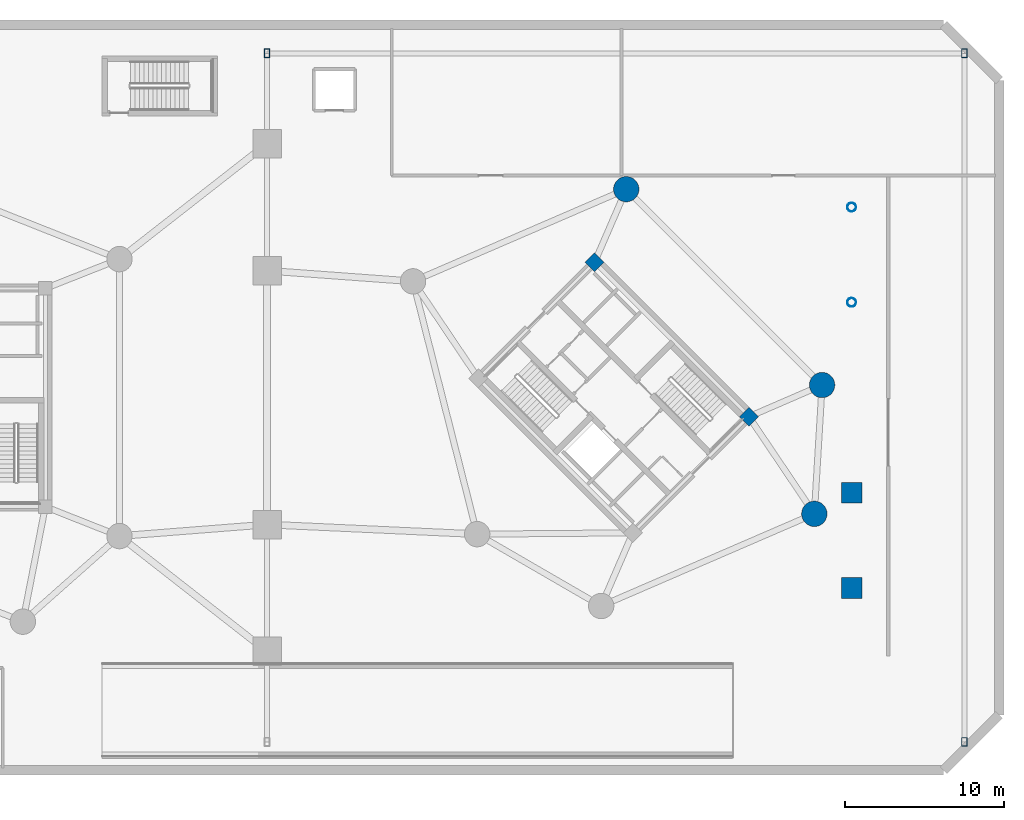
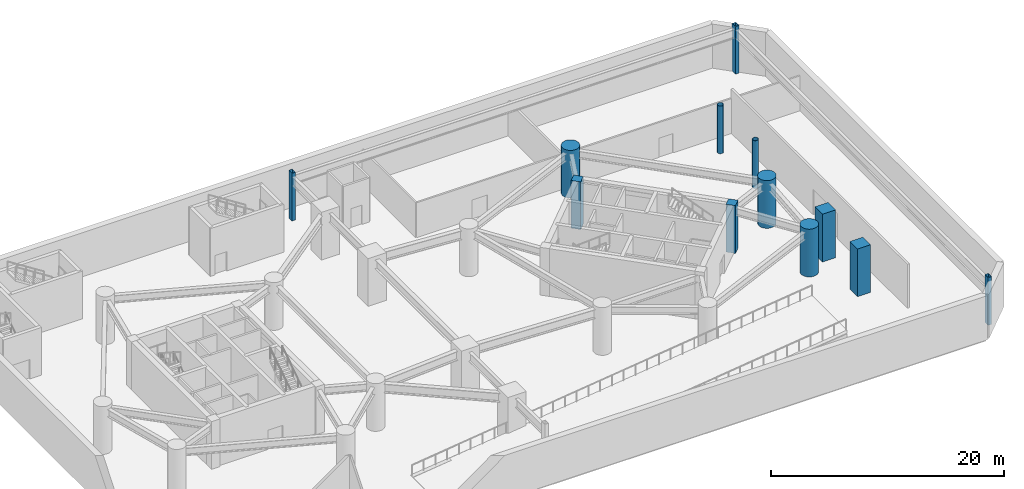
# One storey, part 2 of 14: 12 columns.
"""IFC4 building model written with IfcOpenShell, lengths in metres."""

from ifc_helpers import new_model, si_unit, direction, frame, origin, origin_2d, place, context, subcontext, project, spatial, rectangle, hollow_rectangle, circle, hollow_circle, extrude, material, material_profile, profile_set, type_object, element, save


model = new_model("IFC4")

# Units and contexts
model_context = context("Model", 3, precision=1e-05, world=origin(), true_north=direction((0.0, 1.0)))
body_context = subcontext(model_context, "Body", "Model", "MODEL_VIEW")
ifc_project = project(units=[si_unit("LENGTHUNIT", "METRE"), si_unit("AREAUNIT", "SQUARE_METRE"), si_unit("VOLUMEUNIT", "CUBIC_METRE"), si_unit("PLANEANGLEUNIT", "RADIAN"), si_unit("MASSUNIT", "GRAM", prefix="KILO")], contexts=[model_context])

# Site, building, storey
site_placement = place(None, origin())
site = spatial("IfcSite", under=ifc_project, at=site_placement, CompositionType="ELEMENT")
building_placement = place(site_placement, origin())
building = spatial("IfcBuilding", under=site, at=building_placement, Name="Cununo Teusaquillo Station Towers", CompositionType="ELEMENT")
storey_placement = place(building_placement, frame((0.0, 0.0, -5.0)))
storey = spatial("IfcBuildingStorey", under=building, at=storey_placement, Name="B01", CompositionType="ELEMENT", Elevation=-5.0)

# Columns
ifc_material_1 = material(Name="Concrete C50/60", Category="concrete")
ifc_material_profile_1 = material_profile(ifc_material_1, rectangle(XDim=0.85009765625, YDim=0.85009765625, at=origin_2d()), Name="RC-RECT-850x850")
ifc_profile_set_1 = profile_set([ifc_material_profile_1], Name="Concrete C50/60")
column_type_1 = type_object("IfcColumnType", Name="COL-CORE-Z1", PredefinedType="COLUMN", material=ifc_profile_set_1)
for number, where, z_axis, x_axis, name in (
    (1, (66.024169921875, 23.29443359375, 0.0), (0.0, 0.0, 1.0), (0.707106781187, 0.707106781187, 0.0), "B01 Tower B Core Column 3"),
    (2, (56.29443359375, 33.024169921875, 0.0), (0.0, 0.0, 1.0), (0.707106781187, 0.707106781187, 0.0), "B01 Tower B Core Column 4"),
):
    element("IfcColumn", number, at=place(storey_placement, frame(where, z_axis=z_axis, x_axis=x_axis)), inside=storey, type_object=column_type_1, Name=name, PredefinedType="COLUMN", context=body_context, shape_type="SweptSolid", body=[
        extrude(rectangle(XDim=0.85009765625, YDim=0.85009765625, at=origin_2d()), origin(), (0.0, 0.0, 1.0), 5.0),
    ])
ifc_material_2 = material(Name="Concrete C60/75", Category="concrete")
ifc_material_profile_2 = material_profile(ifc_material_2, circle(Radius=0.800048828125, at=origin_2d()), Name="RC-CIRC-1600")
ifc_profile_set_2 = profile_set([ifc_material_profile_2], Name="Concrete C60/75")
column_type_2 = type_object("IfcColumnType", Name="COL-MEGA-POD", PredefinedType="USERDEFINED", material=ifc_profile_set_2)
for number, where, z_axis, x_axis, name in (
    (3, (58.291015625, 37.63525390625, 0.0), (0.0, 0.0, 1.0), (1.0, 0.0, 0.0), "B01 Tower B Perimeter Column V02"),
    (4, (70.146240234375, 17.173095703125, 0.0), (0.0, 0.0, 1.0), (1.0, 0.0, 0.0), "B01 Tower B Perimeter Column V16"),
    (5, (70.63525390625, 25.291015625, 0.0), (0.0, 0.0, 1.0), (1.0, 0.0, 0.0), "B01 Tower B Perimeter Column V18"),
):
    element("IfcColumn", number, at=place(storey_placement, frame(where, z_axis=z_axis, x_axis=x_axis)), inside=storey, type_object=column_type_2, Name=name, ObjectType="MEGA COLUMN", PredefinedType="USERDEFINED", context=body_context, shape_type="SweptSolid", body=[
        extrude(circle(Radius=0.800048828125, at=origin_2d()), origin(), (0.0, 0.0, 1.0), 5.0),
    ])
ifc_material_3 = material(Name="Steel ASTM A572 Grade 50", Category="steel")
ifc_material_profile_3 = material_profile(ifc_material_3, hollow_rectangle(XDim=0.35009765625, YDim=0.550048828125, WallThickness=0.02197265625, at=origin_2d()), Name="RHS 550x350x22")
ifc_profile_set_3 = profile_set([ifc_material_profile_3], Name="Steel ASTM A572 Grade 50")
column_type_3 = type_object("IfcColumnType", Name="COL-PILASTER", PredefinedType="PILASTER", material=ifc_profile_set_3)
for number, where, z_axis, x_axis, name in (
    (6, (35.64990234375, 46.199951171875, 0.0), (0.0, 0.0, 1.0), (1.0, 0.0, 0.0), "B01 Station Hall Pilaster PIL-NW"),
    (7, (79.60009765625, 46.199951171875, 0.0), (0.0, 0.0, 1.0), (1.0, 0.0, 0.0), "B01 Station Hall Pilaster PIL-NE"),
    (8, (79.60009765625, 2.800048828125, 0.0), (0.0, 0.0, 1.0), (1.0, 0.0, 0.0), "B01 Station Hall Pilaster PIL-SE"),
):
    element("IfcColumn", number, at=place(storey_placement, frame(where, z_axis=z_axis, x_axis=x_axis)), inside=storey, type_object=column_type_3, Name=name, PredefinedType="PILASTER", context=body_context, shape_type="SweptSolid", body=[
        extrude(hollow_rectangle(XDim=0.35009765625, YDim=0.550048828125, WallThickness=0.02197265625, at=origin_2d()), origin(), (0.0, 0.0, 1.0), 5.0),
    ])
ifc_material_4 = material(Name="Concrete C60/75", Category="concrete")
ifc_material_profile_4 = material_profile(ifc_material_4, rectangle(XDim=1.300048828125, YDim=1.300048828125, at=origin_2d()), Name="RC-RECT-1300x1300")
ifc_profile_set_4 = profile_set([ifc_material_profile_4], Name="Concrete C60/75")
column_type_4 = type_object("IfcColumnType", Name="COL-XFER-T1", PredefinedType="COLUMN", material=ifc_profile_set_4)
for number, where, z_axis, x_axis, name in (
    (9, (72.5, 12.5, 0.0), (0.0, 0.0, 1.0), (1.0, 0.0, 0.0), "B01 East Station Gallery Column 1"),
    (10, (72.5, 18.5, 0.0), (0.0, 0.0, 1.0), (1.0, 0.0, 0.0), "B01 East Station Gallery Column 2"),
):
    element("IfcColumn", number, at=place(storey_placement, frame(where, z_axis=z_axis, x_axis=x_axis)), inside=storey, type_object=column_type_4, Name=name, PredefinedType="COLUMN", context=body_context, shape_type="SweptSolid", body=[
        extrude(rectangle(XDim=1.300048828125, YDim=1.300048828125, at=origin_2d()), origin(), (0.0, 0.0, 1.0), 5.0),
    ])
ifc_material_5 = material(Name="Steel EN 10025-2 S355J2", Category="steel")
ifc_material_profile_5 = material_profile(ifc_material_5, hollow_circle(Radius=0.279541015625, WallThickness=0.02001953125, at=origin_2d()), Name="CHS 559x20")
ifc_profile_set_5 = profile_set([ifc_material_profile_5], Name="Steel EN 10025-2 S355J2")
column_type_5 = type_object("IfcColumnType", Name="COL-XFER-T3", PredefinedType="COLUMN", material=ifc_profile_set_5)
for number, where, z_axis, x_axis, name in (
    (11, (72.5, 30.5, 0.0), (0.0, 0.0, 1.0), (1.0, 0.0, 0.0), "B01 East Station Gallery Column 3"),
    (12, (72.5, 36.5, 0.0), (0.0, 0.0, 1.0), (1.0, 0.0, 0.0), "B01 East Station Gallery Column 4"),
):
    element("IfcColumn", number, at=place(storey_placement, frame(where, z_axis=z_axis, x_axis=x_axis)), inside=storey, type_object=column_type_5, Name=name, PredefinedType="COLUMN", context=body_context, shape_type="SweptSolid", body=[
        extrude(hollow_circle(Radius=0.279541015625, WallThickness=0.02001953125, at=origin_2d()), origin(), (0.0, 0.0, 1.0), 5.0),
    ])

save(model, "model.ifc")
